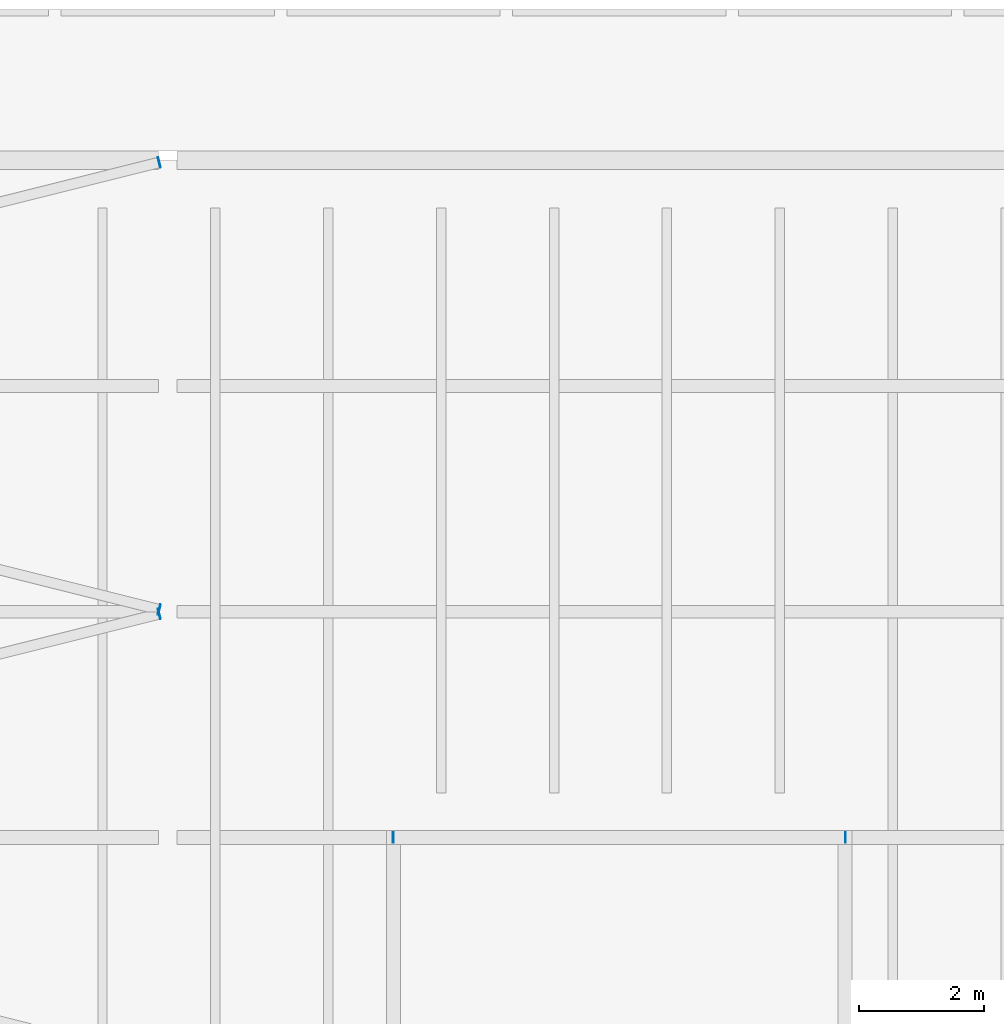
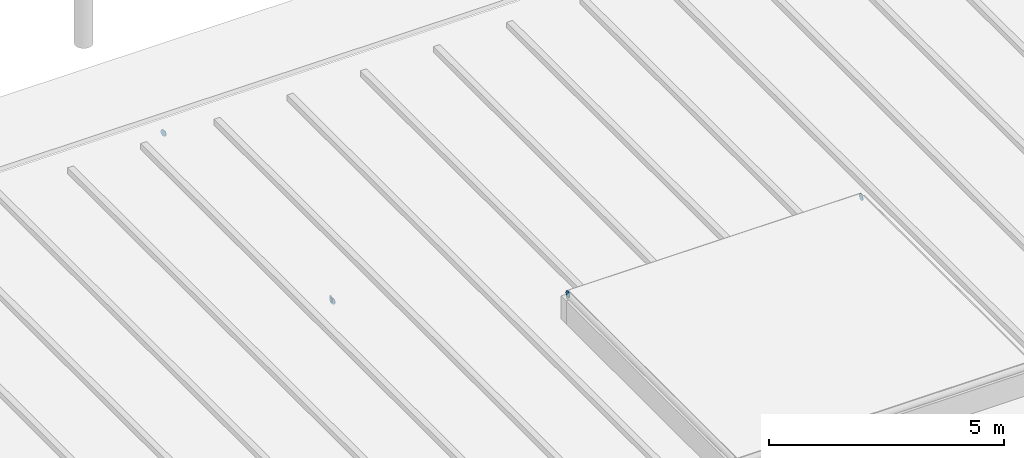
# One storey, part 87 of 120: 5 discrete accessories.
"""IFC4 building model written with IfcOpenShell, lengths in metres."""

from ifc_helpers import new_model, si_unit, direction, frame, origin, origin_2d, place, context, subcontext, project, spatial, circle, extrude, material, layer, layer_set, type_object, element, save


model = new_model("IFC4")

# Units and contexts
model_context = context("Model", 3, precision=1e-05, world=origin(), true_north=direction((0.0, 1.0)))
body_context = subcontext(model_context, "Body", "Model", "MODEL_VIEW")
ifc_project = project(units=[si_unit("LENGTHUNIT", "METRE"), si_unit("AREAUNIT", "SQUARE_METRE"), si_unit("VOLUMEUNIT", "CUBIC_METRE"), si_unit("PLANEANGLEUNIT", "RADIAN"), si_unit("MASSUNIT", "GRAM", prefix="KILO")], contexts=[model_context])

# Site, building, storey
site_placement = place(None, origin())
site = spatial("IfcSite", under=ifc_project, at=site_placement, CompositionType="ELEMENT")
building_placement = place(site_placement, origin())
building = spatial("IfcBuilding", under=site, at=building_placement, Name="Kupolbacken Congress Centre", CompositionType="ELEMENT")
storey_placement = place(building_placement, frame((0.0, 0.0, 21.60009765625)))
storey = spatial("IfcBuildingStorey", under=building, at=storey_placement, Name="L06", CompositionType="ELEMENT", Elevation=21.60009765625)

# Discrete accessories
ifc_material = material(Name="Steel S355", Category="steel")
ifc_layer = layer(ifc_material, 0.011962890625)
ifc_layer_set = layer_set([ifc_layer], Name="Steel S355")
discrete_accessory_type = type_object("IfcDiscreteAccessoryType", Name="EC2 tube end cap plate 168 dia x 12", PredefinedType="BRACKET", material=ifc_layer_set)
for number, where, z_axis, x_axis, name in (
    (1, (107.859375, 107.96484375, -0.084228515625), (0.970142500145, 0.242535625036, 0.0), (-0.242535625036, 0.970142500145, 0.0), "End cap plate HR/RB/01-17 B"),
    (2, (107.859375, 108.03515625, -0.084228515625), (0.970142500145, -0.242535625036, 0.0), (0.242535625036, 0.970142500145, 0.0), "End cap plate HR/RB/01-18 A"),
    (3, (107.859375, 115.164794921875, -0.084228515625), (0.970142500145, 0.242535625036, 0.0), (-0.242535625036, 0.970142500145, 0.0), "End cap plate HR/RB/01-19 B"),
):
    element("IfcDiscreteAccessory", number, at=place(storey_placement, frame(where, z_axis=z_axis, x_axis=x_axis)), inside=storey, type_object=discrete_accessory_type, Name=name, PredefinedType="BRACKET", context=body_context, shape_type="SweptSolid", body=[
        extrude(circle(Radius=0.084228515625, at=origin_2d()), origin(), (0.0, 0.0, 1.0), 0.011962890625),
    ])
discrete_accessory_1_placement = place(storey_placement, frame((111.60009765625, 104.39990234375, 0.944091796875), z_axis=(-1.0, 0.0, 0.0), x_axis=(0.0, -1.0, 0.0)))
element("IfcDiscreteAccessory", 4, at=discrete_accessory_1_placement, inside=storey, type_object=discrete_accessory_type, Name="End cap plate RD/RL3/FN A", PredefinedType="BRACKET", context=body_context, shape_type="SweptSolid", body=[
    extrude(circle(Radius=0.084228515625, at=origin_2d()), origin(), (0.0, 0.0, 1.0), 0.01220703125),
])
discrete_accessory_2_placement = place(storey_placement, frame((118.800048828125, 104.39990234375, 0.944091796875), z_axis=(1.0, 0.0, 0.0), x_axis=(0.0, 1.0, 0.0)))
element("IfcDiscreteAccessory", 5, at=discrete_accessory_2_placement, inside=storey, type_object=discrete_accessory_type, Name="End cap plate RD/RL3/FN B", PredefinedType="BRACKET", context=body_context, shape_type="SweptSolid", body=[
    extrude(circle(Radius=0.084228515625, at=origin_2d()), origin(), (0.0, 0.0, 1.0), 0.011962890625),
])

save(model, "model.ifc")
